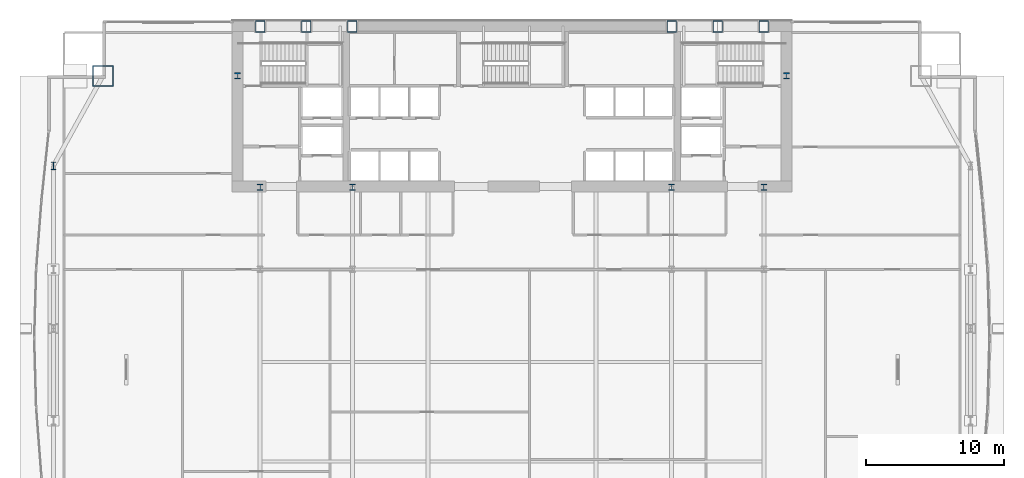
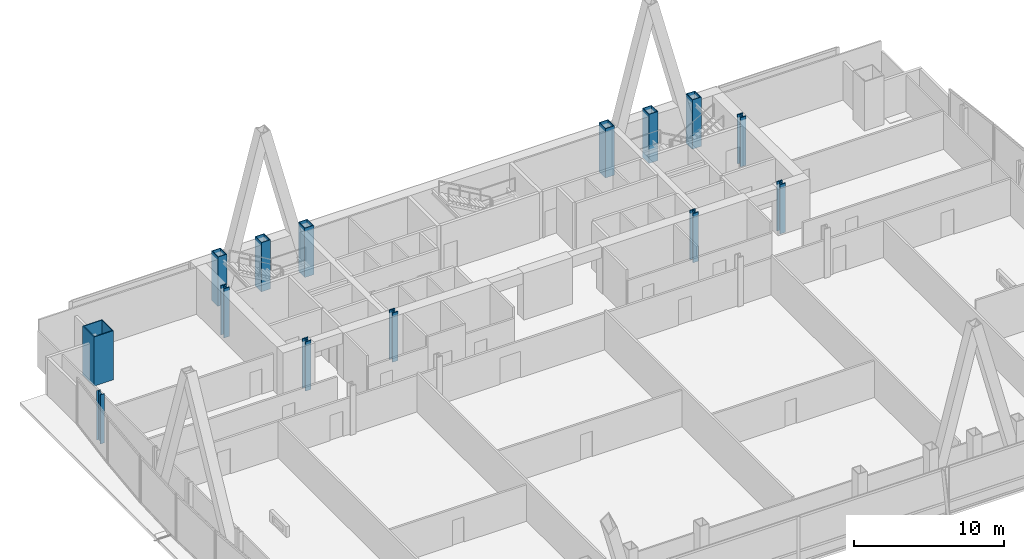
# One storey, part 3 of 32: 14 columns.
"""IFC4 building model written with IfcOpenShell, lengths in metres."""

from ifc_helpers import new_model, si_unit, direction, frame, origin, origin_2d, place, context, subcontext, project, spatial, hollow_rectangle, i_section, extrude, material, material_profile, profile_set, type_object, element, save


model = new_model("IFC4")

# Units and contexts
model_context = context("Model", 3, precision=1e-05, world=origin(), true_north=direction((0.0, 1.0)))
body_context = subcontext(model_context, "Body", "Model", "MODEL_VIEW")
ifc_project = project(units=[si_unit("LENGTHUNIT", "METRE"), si_unit("AREAUNIT", "SQUARE_METRE"), si_unit("VOLUMEUNIT", "CUBIC_METRE"), si_unit("PLANEANGLEUNIT", "RADIAN"), si_unit("MASSUNIT", "GRAM", prefix="KILO")], contexts=[model_context])

# Site, building, storey
site_placement = place(None, origin())
site = spatial("IfcSite", under=ifc_project, at=site_placement, CompositionType="ELEMENT")
building_placement = place(site_placement, origin())
building = spatial("IfcBuilding", under=site, at=building_placement, Name="Khoronbel Lancet Exchange", CompositionType="ELEMENT")
storey_placement = place(building_placement, frame((0.0, 0.0, 81.800048828125)))
storey = spatial("IfcBuildingStorey", under=building, at=storey_placement, Name="L19", CompositionType="ELEMENT", Elevation=81.800048828125)

# Columns
ifc_material_1 = material(Name="Steel S460", Category="steel")
ifc_material_profile_1 = material_profile(ifc_material_1, hollow_rectangle(XDim=0.699951171875, YDim=0.85009765625, WallThickness=0.050048828125, at=origin_2d()), Name="BOX 850x700x50")
ifc_profile_set_1 = profile_set([ifc_material_profile_1], Name="Steel S460")
column_type_1 = type_object("IfcColumnType", Name="COL-EC2", PredefinedType="COLUMN", material=ifc_profile_set_1)
for number, where, z_axis, x_axis, name in (
    (1, (18.22509765625, 53.280029296875, 0.0), (0.0, 0.0, 1.0), (1.0, 0.0, 0.0), "Structural column NC-W1 L19"),
    (2, (21.5625, 53.280029296875, 0.0), (0.0, 0.0, 1.0), (1.0, 0.0, 0.0), "Structural column NC-WM L19"),
    (3, (24.89990234375, 53.280029296875, 0.0), (0.0, 0.0, 1.0), (1.0, 0.0, 0.0), "Structural column NC-W2 L19"),
    (4, (48.0, 53.280029296875, 0.0), (0.0, 0.0, 1.0), (1.0, 0.0, 0.0), "Structural column NC-E1 L19"),
    (5, (51.33740234375, 53.280029296875, 0.0), (0.0, 0.0, 1.0), (1.0, 0.0, 0.0), "Structural column NC-EM L19"),
    (6, (54.675048828125, 53.280029296875, 0.0), (0.0, 0.0, 1.0), (1.0, 0.0, 0.0), "Structural column NC-E2 L19"),
):
    element("IfcColumn", number, at=place(storey_placement, frame(where, z_axis=z_axis, x_axis=x_axis)), inside=storey, type_object=column_type_1, Name=name, PredefinedType="COLUMN", context=body_context, shape_type="SweptSolid", body=[
        extrude(hollow_rectangle(XDim=0.699951171875, YDim=0.85009765625, WallThickness=0.050048828125, at=origin_2d()), origin(), (0.0, 0.0, 1.0), 4.0),
    ])
ifc_material_profile_2 = material_profile(ifc_material_1, i_section(OverallWidth=0.424072265625, OverallDepth=0.47412109375, WebThickness=0.047607421875, FlangeThickness=0.076904296875, at=origin_2d()), Name="HD 400x634")
ifc_profile_set_2 = profile_set([ifc_material_profile_2], Name="Steel S460")
column_type_2 = type_object("IfcColumnType", Name="COL-IC1", PredefinedType="COLUMN", material=ifc_profile_set_2)
for number, where, z_axis, x_axis, name in (
    (7, (16.60009765625, 49.699951171875, 0.0), (0.0, 0.0, 1.0), (1.0, 0.0, 0.0), "Core-flank plumb transfer column CFW L19"),
    (8, (56.300048828125, 49.699951171875, 0.0), (0.0, 0.0, 1.0), (1.0, 0.0, 0.0), "Core-flank plumb transfer column CFE L19"),
    (9, (18.22509765625, 41.64990234375, 0.0), (0.0, 0.0, 1.0), (1.0, 0.0, 0.0), "Core-embedded steel column CTC1 L19"),
    (10, (24.89990234375, 41.64990234375, 0.0), (0.0, 0.0, 1.0), (1.0, 0.0, 0.0), "Core-embedded steel column CTC2 L19"),
    (11, (48.0, 41.64990234375, 0.0), (0.0, 0.0, 1.0), (1.0, 0.0, 0.0), "Core-embedded steel column CTC3 L19"),
    (12, (54.675048828125, 41.64990234375, 0.0), (0.0, 0.0, 1.0), (1.0, 0.0, 0.0), "Core-embedded steel column CTC4 L19"),
):
    element("IfcColumn", number, at=place(storey_placement, frame(where, z_axis=z_axis, x_axis=x_axis)), inside=storey, type_object=column_type_2, Name=name, PredefinedType="COLUMN", context=body_context, shape_type="SweptSolid", body=[
        extrude(i_section(OverallWidth=0.424072265625, OverallDepth=0.47412109375, WebThickness=0.047607421875, FlangeThickness=0.076904296875, at=origin_2d()), origin(), (0.0, 0.0, 1.0), 4.0),
    ])
ifc_material_2 = material(Name="Steel S355", Category="steel")
ifc_material_profile_3 = material_profile(ifc_material_2, i_section(OverallWidth=0.300048828125, OverallDepth=0.550048828125, WebThickness=0.014892578125, FlangeThickness=0.029052734375, at=origin_2d()), Name="HEB 550")
ifc_profile_set_3 = profile_set([ifc_material_profile_3], Name="Steel S355")
column_type_3 = type_object("IfcColumnType", Name="COL-LC1", PredefinedType="COLUMN", material=ifc_profile_set_3)
column_1_placement = place(storey_placement, frame((3.27001953125, 43.199951171875, 0.0), z_axis=(0.0, 0.0, 1.0), x_axis=(1.0, 0.0, 0.0)))
element("IfcColumn", 13, at=column_1_placement, inside=storey, type_object=column_type_3, Name="Structural column WC-4 L19", PredefinedType="COLUMN", context=body_context, shape_type="SweptSolid", body=[
    extrude(i_section(OverallWidth=0.300048828125, OverallDepth=0.550048828125, WebThickness=0.014892578125, FlangeThickness=0.029052734375, at=origin_2d()), origin(), (0.0, 0.0, 1.0), 4.0),
])
ifc_material_profile_4 = material_profile(ifc_material_1, hollow_rectangle(XDim=1.5, YDim=1.5, WallThickness=0.070068359375, at=origin_2d()), Name="BOX 1500x1500x70")
ifc_profile_set_4 = profile_set([ifc_material_profile_4], Name="Steel S460")
column_type_4 = type_object("IfcColumnType", Name="COL-MC3", PredefinedType="COLUMN", material=ifc_profile_set_4)
column_2_placement = place(storey_placement, frame((6.85009765625, 49.699951171875, 0.0), z_axis=(0.0, 0.0, 1.0), x_axis=(1.0, 0.0, 0.0)))
element("IfcColumn", 14, at=column_2_placement, inside=storey, type_object=column_type_4, Name="Structural column MC-NW L19", PredefinedType="COLUMN", context=body_context, shape_type="SweptSolid", body=[
    extrude(hollow_rectangle(XDim=1.5, YDim=1.5, WallThickness=0.070068359375, at=origin_2d()), origin(), (0.0, 0.0, 1.0), 4.0),
])

save(model, "model.ifc")
